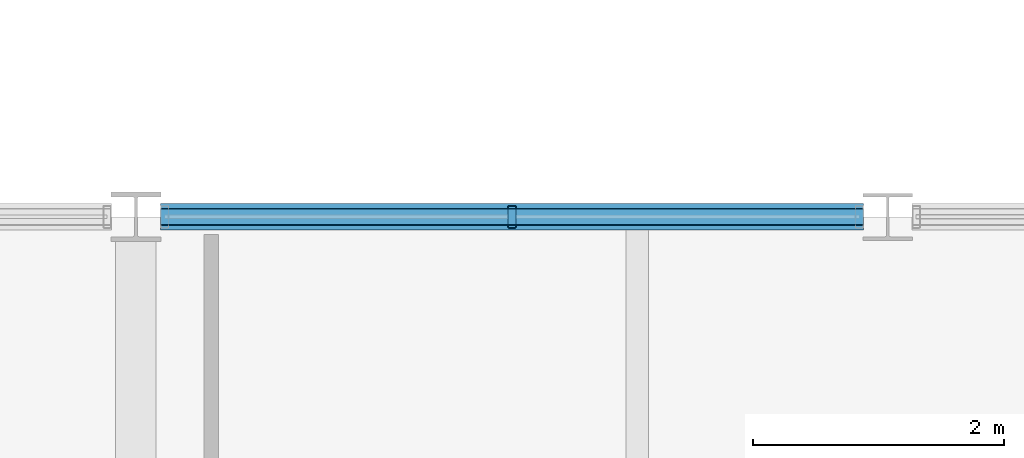
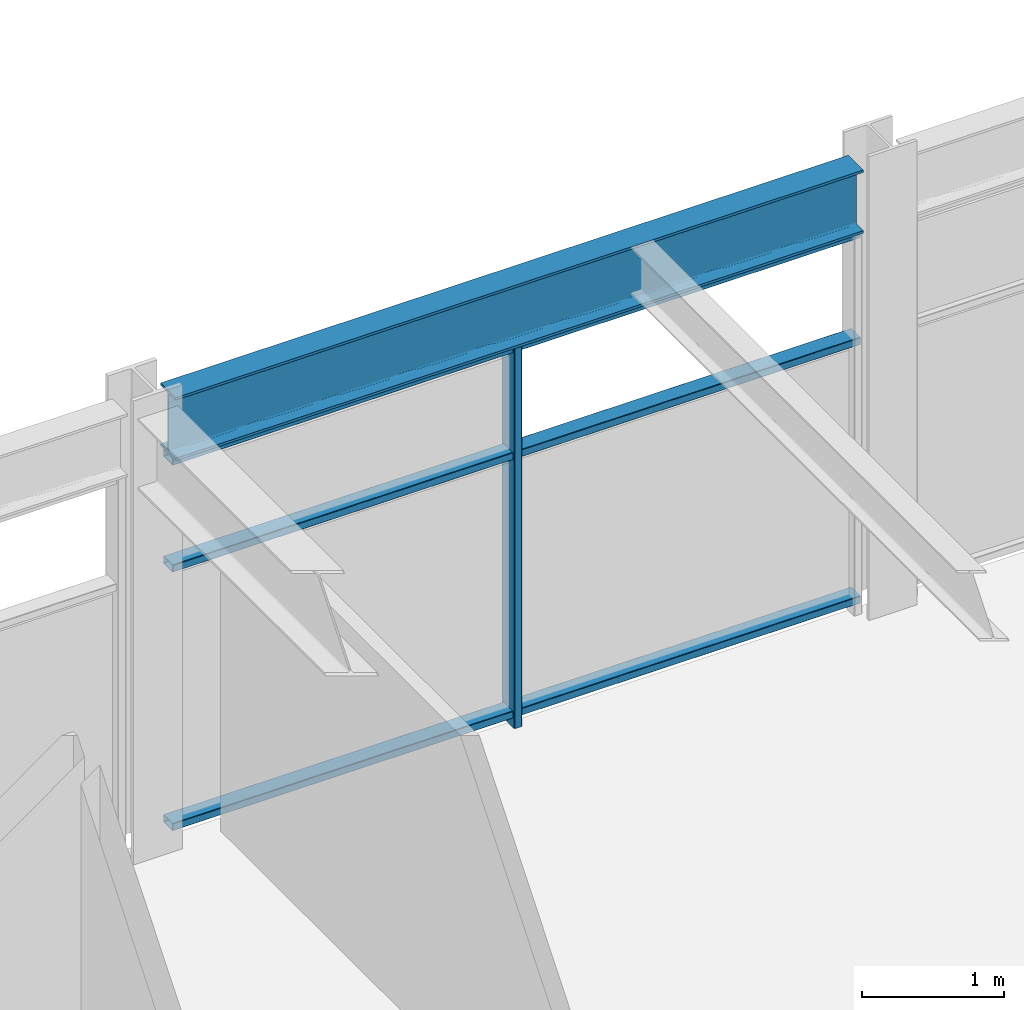
# One storey, part 25 of 49: 4 members, 1 beam, 1 element without a shape of its own.
"""IFC4 building model written with IfcOpenShell, lengths in metres."""

from ifc_helpers import new_model, si_unit, direction, frame, origin, origin_2d, place, context, subcontext, project, spatial, hollow_rectangle, i_section, extrude, material, material_profile, profile_set, type_object, element, aggregate, save


model = new_model("IFC4")

# Units and contexts
model_context = context("Model", 3, precision=1e-05, world=origin(), true_north=direction((0.0, 1.0)))
body_context = subcontext(model_context, "Body", "Model", "MODEL_VIEW")
ifc_project = project(units=[si_unit("LENGTHUNIT", "METRE"), si_unit("AREAUNIT", "SQUARE_METRE"), si_unit("VOLUMEUNIT", "CUBIC_METRE"), si_unit("PLANEANGLEUNIT", "RADIAN"), si_unit("MASSUNIT", "GRAM", prefix="KILO")], contexts=[model_context])

# Site, building, storey
site_placement = place(None, origin())
site = spatial("IfcSite", under=ifc_project, at=site_placement, CompositionType="ELEMENT")
building_placement = place(site_placement, origin())
building = spatial("IfcBuilding", under=site, at=building_placement, Name="Girod Span Mobility Hub", CompositionType="ELEMENT")
storey_placement = place(building_placement, frame((0.0, 0.0, 37.60009765625)))
storey = spatial("IfcBuildingStorey", under=building, at=storey_placement, Name="L09", CompositionType="ELEMENT", Elevation=37.60009765625)

# Beam
ifc_material_1 = material(Name="Steel A992 Grade 50", Category="steel")
ifc_material_profile_1 = material_profile(ifc_material_1, i_section(OverallWidth=0.2119140625, OverallDepth=0.5439453125, WebThickness=0.01318359375, FlangeThickness=0.021240234375, FilletRadius=0.014892578125, at=origin_2d()), Name="W21X83")
ifc_profile_set_1 = profile_set([ifc_material_profile_1], Name="Steel A992 Grade 50")
beam_type = type_object("IfcBeamType", Name="BM-STL-W21X83", PredefinedType="SPANDREL", material=ifc_profile_set_1)
beam_placement = place(storey_placement, frame((84.196533203125, 69.0, 3.56298828125), z_axis=(1.0, 0.0, 0.0), x_axis=(0.0, 1.0, 0.0)))
element("IfcBeam", 1, at=beam_placement, inside=storey, type_object=beam_type, Name="Spandrel Beam 8-9/F-W L09", PredefinedType="SPANDREL", context=body_context, shape_type="SweptSolid", body=[
    extrude(i_section(OverallWidth=0.2119140625, OverallDepth=0.5439453125, WebThickness=0.01318359375, FlangeThickness=0.021240234375, FilletRadius=0.014892578125, at=origin_2d()), origin(), (0.0, 0.0, 1.0), 5.609375),
])

# Curtain wall, members
ifc_material_2 = material(Name="Thermally Broken Anodised Aluminium", Category="aluminium")
curtain_wall_type = type_object("IfcCurtainWallType", Name="CW-561X329", PredefinedType="USERDEFINED", material=ifc_material_2)
curtain_wall_placement = place(storey_placement, origin())
curtain_wall = element("IfcCurtainWall", 2, at=curtain_wall_placement, inside=storey, type_object=curtain_wall_type, Name="Unitised Curtain Wall CW-L09-N08W L09", ObjectType="UNITISED CURTAIN WALL", PredefinedType="USERDEFINED")
ifc_material_3 = material(Name="Thermally Broken Anodised Aluminium", Category="aluminium")
ifc_material_profile_2 = material_profile(ifc_material_3, hollow_rectangle(XDim=0.179931640625, YDim=0.06494140625, WallThickness=0.00390625, InnerFilletRadius=0.00390625, OuterFilletRadius=0.008056640625, at=origin_2d()), Name="CW-ML-65X180")
ifc_profile_set_2 = profile_set([ifc_material_profile_2], Name="Thermally Broken Anodised Aluminium")
member_type_1 = type_object("IfcMemberType", Name="CWM-ML-2", PredefinedType="MULLION", material=ifc_profile_set_2)
member_1_placement = place(storey_placement, frame((87.001220703125, 69.0, 0.0), z_axis=(0.0, 0.0, 1.0), x_axis=(0.0, 1.0, 0.0)))
member_1 = element("IfcMember", 3, at=member_1_placement, type_object=member_type_1, Name="Curtain Wall Mullion CW-L09-N08W-M1", PredefinedType="MULLION", context=body_context, shape_type="SweptSolid", body=[
    extrude(hollow_rectangle(XDim=0.179931640625, YDim=0.06494140625, WallThickness=0.00390625, InnerFilletRadius=0.00390625, OuterFilletRadius=0.008056640625, at=origin_2d()), origin(), (0.0, 0.0, 1.0), 3.291015625),
])
ifc_material_4 = material(Name="Thermally Broken Anodised Aluminium", Category="aluminium")
ifc_material_profile_3 = material_profile(ifc_material_4, hollow_rectangle(XDim=0.135009765625, YDim=0.06494140625, WallThickness=0.00390625, InnerFilletRadius=0.00390625, OuterFilletRadius=0.008056640625, at=origin_2d()), Name="CW-TR-65X135")
ifc_profile_set_3 = profile_set([ifc_material_profile_3], Name="Thermally Broken Anodised Aluminium")
member_type_2 = type_object("IfcMemberType", Name="CWM-TR-2", PredefinedType="USERDEFINED", material=ifc_profile_set_3)
member_2_placement = place(storey_placement, frame((84.197509765625, 69.0, 0.107421875), z_axis=(1.0, 0.0, 0.0), x_axis=(0.0, 1.0, 0.0)))
member_2 = element("IfcMember", 4, at=member_2_placement, type_object=member_type_2, Name="Curtain Wall Transom CW-L09-N08W-T1", ObjectType="TRANSOM", PredefinedType="USERDEFINED", context=body_context, shape_type="SweptSolid", body=[
    extrude(hollow_rectangle(XDim=0.135009765625, YDim=0.06494140625, WallThickness=0.00390625, InnerFilletRadius=0.00390625, OuterFilletRadius=0.008056640625, at=origin_2d()), origin(), (0.0, 0.0, 1.0), 5.607421875),
])
member_3_placement = place(storey_placement, frame((84.197509765625, 69.0, 2.3369140625), z_axis=(1.0, 0.0, 0.0), x_axis=(0.0, 1.0, 0.0)))
member_3 = element("IfcMember", 5, at=member_3_placement, type_object=member_type_2, Name="Curtain Wall Transom CW-L09-N08W-T2", ObjectType="TRANSOM", PredefinedType="USERDEFINED", context=body_context, shape_type="SweptSolid", body=[
    extrude(hollow_rectangle(XDim=0.135009765625, YDim=0.06494140625, WallThickness=0.00390625, InnerFilletRadius=0.00390625, OuterFilletRadius=0.008056640625, at=origin_2d()), origin(), (0.0, 0.0, 1.0), 5.607421875),
])
member_4_placement = place(storey_placement, frame((84.197509765625, 69.0, 3.25830078125), z_axis=(1.0, 0.0, 0.0), x_axis=(0.0, 1.0, 0.0)))
member_4 = element("IfcMember", 6, at=member_4_placement, type_object=member_type_2, Name="Curtain Wall Transom CW-L09-N08W-T3", ObjectType="TRANSOM", PredefinedType="USERDEFINED", context=body_context, shape_type="SweptSolid", body=[
    extrude(hollow_rectangle(XDim=0.135009765625, YDim=0.06494140625, WallThickness=0.00390625, InnerFilletRadius=0.00390625, OuterFilletRadius=0.008056640625, at=origin_2d()), origin(), (0.0, 0.0, 1.0), 5.607421875),
])
aggregate(curtain_wall, [member_1, member_2, member_3, member_4])

save(model, "model.ifc")
